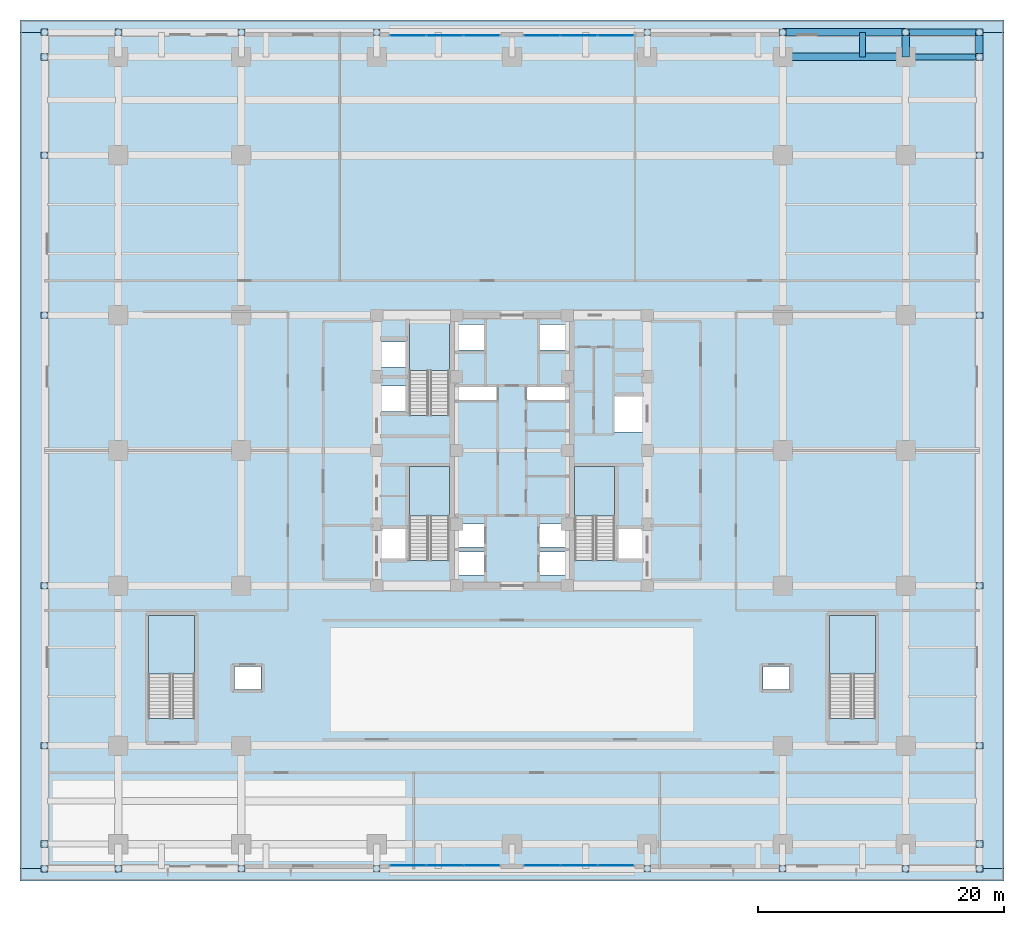
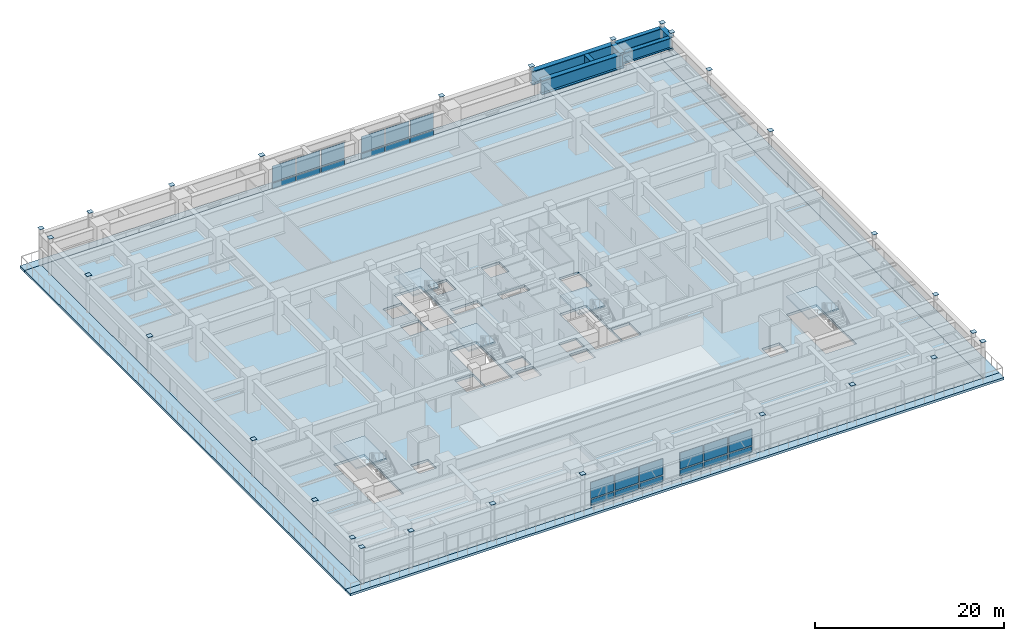
# One storey, part 21 of 35: 52 plates, 10 slabs, 7 beams, 9 elements without a shape of their own.
"""IFC4 building model written with IfcOpenShell, lengths in metres."""

from ifc_helpers import new_model, si_unit, direction, frame, origin, origin_2d, place, context, subcontext, project, spatial, polyline, rectangle, i_section, outline, extrude, source, transform, mapped, material, layer, layer_set, material_profile, profile_set, type_object, element, aggregate, save


model = new_model("IFC4")

# Units and contexts
model_context = context("Model", 3, precision=1e-05, world=origin(), true_north=direction((0.0, 1.0)))
body_context = subcontext(model_context, "Body", "Model", "MODEL_VIEW")
ifc_project = project(units=[si_unit("LENGTHUNIT", "METRE"), si_unit("AREAUNIT", "SQUARE_METRE"), si_unit("VOLUMEUNIT", "CUBIC_METRE"), si_unit("PLANEANGLEUNIT", "RADIAN"), si_unit("MASSUNIT", "GRAM", prefix="KILO")], contexts=[model_context])

# Site, building, storey
site_placement = place(None, origin())
site = spatial("IfcSite", under=ifc_project, at=site_placement, CompositionType="ELEMENT")
building_placement = place(site_placement, origin())
building = spatial("IfcBuilding", under=site, at=building_placement, Name="Khorayat Bourse Tower", CompositionType="ELEMENT")
storey_placement = place(building_placement, frame((0.0, 0.0, 22.199951171875)))
storey = spatial("IfcBuildingStorey", under=building, at=storey_placement, Name="L04", CompositionType="ELEMENT", Elevation=22.199951171875)

# Beams
ifc_material_1 = material(Name="Steel EN 10025-4 S460M", Category="steel")
ifc_material_profile_1 = material_profile(ifc_material_1, i_section(OverallWidth=0.60009765625, OverallDepth=1.800048828125, WebThickness=0.031982421875, FlangeThickness=0.06005859375, at=origin_2d()), Name="PG 1800x600x32x60")
ifc_profile_set_1 = profile_set([ifc_material_profile_1], Name="Steel EN 10025-4 S460M")
beam_type_1 = type_object("IfcBeamType", Name="BM-TR-1800", PredefinedType="BEAM", material=ifc_profile_set_1)
shared_shape_1 = source(origin(), body_context, "Body", "SweptSolid", [
    extrude(i_section(OverallWidth=0.60009765625, OverallDepth=1.800048828125, WebThickness=0.031982421875, FlangeThickness=0.06005859375, at=origin_2d()), origin(), (0.0, 0.0, 1.0), 10.0),
])
for number, where, z_axis, x_axis, name in (
    (1, (22.0, 32.0, 3.300048828125), (1.0, 0.0, 0.0), (0.0, 1.0, 0.0), "L04 BM-TR-1800 BM-L04-PGX-089"),
    (2, (22.0, 34.0, 3.300048828125), (1.0, 0.0, 0.0), (0.0, 1.0, 0.0), "L04 BM-TR-1800 BM-L04-PGX-096"),
):
    element("IfcBeam", number, at=place(storey_placement, frame(where, z_axis=z_axis, x_axis=x_axis)), inside=storey, type_object=beam_type_1, Name=name, PredefinedType="BEAM", context=body_context, shape_type="MappedRepresentation", body=[
        mapped(shared_shape_1, transform((0.0, 0.0, 0.0), scale=1.0)),
    ])
ifc_material_profile_2 = material_profile(ifc_material_1, i_section(OverallWidth=0.5, OverallDepth=1.39990234375, WebThickness=0.02490234375, FlangeThickness=0.050048828125, at=origin_2d()), Name="PG 1400x500x25x50")
ifc_profile_set_2 = profile_set([ifc_material_profile_2], Name="Steel EN 10025-4 S460M")
beam_type_2 = type_object("IfcBeamType", Name="BM-TR-1400", PredefinedType="BEAM", material=ifc_profile_set_2)
shared_shape_2 = source(origin(), body_context, "Body", "SweptSolid", [
    extrude(i_section(OverallWidth=0.5, OverallDepth=1.39990234375, WebThickness=0.02490234375, FlangeThickness=0.050048828125, at=origin_2d()), origin(), (0.0, 0.0, 1.0), 6.0),
])
for number, where, z_axis, x_axis, name in (
    (3, (32.0, 32.0, 3.5), (1.0, 0.0, 0.0), (0.0, 1.0, 0.0), "L04 BM-TR-1400 BM-L04-PGX-090"),
    (4, (32.0, 34.0, 3.5), (1.0, 0.0, 0.0), (0.0, 1.0, 0.0), "L04 BM-TR-1400 BM-L04-PGX-097"),
):
    element("IfcBeam", number, at=place(storey_placement, frame(where, z_axis=z_axis, x_axis=x_axis)), inside=storey, type_object=beam_type_2, Name=name, PredefinedType="BEAM", context=body_context, shape_type="MappedRepresentation", body=[
        mapped(shared_shape_2, transform((0.0, 0.0, 0.0), scale=1.0)),
    ])
shared_shape_3 = source(origin(), body_context, "Body", "SweptSolid", [
    extrude(i_section(OverallWidth=0.60009765625, OverallDepth=1.800048828125, WebThickness=0.031982421875, FlangeThickness=0.06005859375, at=origin_2d()), origin(), (0.0, 0.0, 1.0), 2.0),
])
for number, where, z_axis, x_axis, name in (
    (5, (32.0, 32.0, 3.300048828125), (0.0, 1.0, 0.0), (-1.0, 0.0, 0.0), "L04 BM-TR-1800 BM-L04-PGY-155"),
    (6, (38.0, 32.0, 3.300048828125), (0.0, 1.0, 0.0), (-1.0, 0.0, 0.0), "L04 BM-TR-1800 BM-L04-PGY-162"),
):
    element("IfcBeam", number, at=place(storey_placement, frame(where, z_axis=z_axis, x_axis=x_axis)), inside=storey, type_object=beam_type_1, Name=name, PredefinedType="BEAM", context=body_context, shape_type="MappedRepresentation", body=[
        mapped(shared_shape_3, transform((0.0, 0.0, 0.0), scale=1.0)),
    ])
shared_shape_4 = source(origin(), body_context, "Body", "SweptSolid", [
    extrude(i_section(OverallWidth=0.5, OverallDepth=1.39990234375, WebThickness=0.02490234375, FlangeThickness=0.050048828125, at=origin_2d()), origin(), (0.0, 0.0, 1.0), 2.0),
])
beam_placement = place(storey_placement, frame((28.5, 32.0, 3.5), z_axis=(0.0, 1.0, 0.0), x_axis=(-1.0, 0.0, 0.0)))
element("IfcBeam", 7, at=beam_placement, inside=storey, type_object=beam_type_2, Name="L04 BM-TR-1400 BM-L04-PGY-147", PredefinedType="BEAM", context=body_context, shape_type="MappedRepresentation", body=[
    mapped(shared_shape_4, transform((0.0, 0.0, 0.0), scale=1.0)),
])

# Stair, slab
ifc_material_2 = material(Name="Concrete C40/50", Category="concrete")
stair_type_1 = type_object("IfcStairType", Name="STR-CORE-1550", PredefinedType="HALF_TURN_STAIR", material=ifc_material_2)
stair_1_placement = place(storey_placement, origin())
stair_1 = element("IfcStair", 8, at=stair_1_placement, inside=storey, type_object=stair_type_1, Name="L04 Exit Stair ST-1", PredefinedType="HALF_TURN_STAIR")
ifc_layer_1 = layer(ifc_material_2, 0.199951171875)
ifc_layer_set_1 = layer_set([ifc_layer_1], Name="Concrete C40/50")
slab_type_1 = type_object("IfcSlabType", Name="SLB-LANDING-200", PredefinedType="LANDING", material=ifc_layer_set_1)
slab_1_placement = place(storey_placement, frame((0.0, 0.0, 2.199951171875)))
slab_1 = element("IfcSlab", 9, at=slab_1_placement, type_object=slab_type_1, Name="ST-1 landing 1", PredefinedType="LANDING", context=body_context, shape_type="SweptSolid", body=[
    extrude(outline(polyline([(-5.10009765625, -5.31005859375), (-5.10009765625, -1.300048828125), (-8.35009765625, -1.300048828125), (-8.35009765625, -5.31005859375), (-5.10009765625, -5.31005859375)])), origin(), (0.0, 0.0, 1.0), 0.2001953125),
])
aggregate(stair_1, [slab_1])

stair_2_placement = place(storey_placement, origin())
stair_2 = element("IfcStair", 10, at=stair_2_placement, inside=storey, type_object=stair_type_1, Name="L04 Exit Stair ST-2", PredefinedType="HALF_TURN_STAIR")
slab_2_placement = place(storey_placement, frame((0.0, 0.0, 2.199951171875)))
slab_2 = element("IfcSlab", 11, at=slab_2_placement, type_object=slab_type_1, Name="ST-2 landing 1", PredefinedType="LANDING", context=body_context, shape_type="SweptSolid", body=[
    extrude(outline(polyline([(-5.10009765625, 6.489990234375), (-5.10009765625, 10.5), (-8.35009765625, 10.5), (-8.35009765625, 6.489990234375), (-5.10009765625, 6.489990234375)])), origin(), (0.0, 0.0, 1.0), 0.2001953125),
])
aggregate(stair_2, [slab_2])

stair_3_placement = place(storey_placement, origin())
stair_3 = element("IfcStair", 12, at=stair_3_placement, inside=storey, type_object=stair_type_1, Name="L04 Exit Stair ST-3", PredefinedType="HALF_TURN_STAIR")
slab_3_placement = place(storey_placement, frame((0.0, 0.0, 2.199951171875)))
slab_3 = element("IfcSlab", 13, at=slab_3_placement, type_object=slab_type_1, Name="ST-3 landing 1", PredefinedType="LANDING", context=body_context, shape_type="SweptSolid", body=[
    extrude(outline(polyline([(8.35009765625, -5.31005859375), (8.35009765625, -1.300048828125), (5.10009765625, -1.300048828125), (5.10009765625, -5.31005859375), (8.35009765625, -5.31005859375)])), origin(), (0.0, 0.0, 1.0), 0.2001953125),
])
aggregate(stair_3, [slab_3])

stair_type_2 = type_object("IfcStairType", Name="STR-POD-1800", PredefinedType="HALF_TURN_STAIR", material=ifc_material_2)
stair_4_placement = place(storey_placement, origin())
stair_4 = element("IfcStair", 14, at=stair_4_placement, inside=storey, type_object=stair_type_2, Name="L04 Exit Stair ST-P1", PredefinedType="HALF_TURN_STAIR")
slab_4_placement = place(storey_placement, frame((0.0, 0.0, 2.199951171875)))
slab_4 = element("IfcSlab", 15, at=slab_4_placement, type_object=slab_type_1, Name="ST-P1 landing 1", PredefinedType="LANDING", context=body_context, shape_type="SweptSolid", body=[
    extrude(outline(polyline([(-25.800048828125, -18.159912109375), (-25.800048828125, -13.39990234375), (-29.550048828125, -13.39990234375), (-29.550048828125, -18.159912109375), (-25.800048828125, -18.159912109375)])), origin(), (0.0, 0.0, 1.0), 0.2001953125),
])
aggregate(stair_4, [slab_4])

stair_5_placement = place(storey_placement, origin())
stair_5 = element("IfcStair", 16, at=stair_5_placement, inside=storey, type_object=stair_type_2, Name="L04 Exit Stair ST-P2", PredefinedType="HALF_TURN_STAIR")
slab_5_placement = place(storey_placement, frame((0.0, 0.0, 2.199951171875)))
slab_5 = element("IfcSlab", 17, at=slab_5_placement, type_object=slab_type_1, Name="ST-P2 landing 1", PredefinedType="LANDING", context=body_context, shape_type="SweptSolid", body=[
    extrude(outline(polyline([(29.550048828125, -18.159912109375), (29.550048828125, -13.39990234375), (25.800048828125, -13.39990234375), (25.800048828125, -18.159912109375), (29.550048828125, -18.159912109375)])), origin(), (0.0, 0.0, 1.0), 0.2001953125),
])
aggregate(stair_5, [slab_5])

# Slabs
ifc_layer_2 = layer(ifc_material_2, 0.320068359375)
ifc_layer_set_2 = layer_set([ifc_layer_2], Name="Concrete C40/50")
slab_type_2 = type_object("IfcSlabType", Name="SLB-POD-320", PredefinedType="FLOOR", material=ifc_layer_set_2)
slab_6_placement = place(storey_placement, frame((0.0, 0.0, -0.320068359375)))
element("IfcSlab", 18, at=slab_6_placement, inside=storey, type_object=slab_type_2, Name="L04 Main Floor Slab", PredefinedType="FLOOR", context=body_context, shape_type="SweptSolid", body=[
    extrude(outline(polyline([(-38.0, -34.0), (38.0, -34.0), (38.0, 34.0), (-38.0, 34.0), (-38.0, -34.0)]), holes=[polyline([(-8.35009765625, -8.945068359375), (-5.10009765625, -8.945068359375), (-5.10009765625, -1.300048828125), (-8.35009765625, -1.300048828125), (-8.35009765625, -8.945068359375)]), polyline([(-8.35009765625, 2.85498046875), (-5.10009765625, 2.85498046875), (-5.10009765625, 10.5), (-8.35009765625, 10.5), (-8.35009765625, 2.85498046875)]), polyline([(5.10009765625, -8.945068359375), (8.35009765625, -8.945068359375), (8.35009765625, -1.300048828125), (5.10009765625, -1.300048828125), (5.10009765625, -8.945068359375)]), polyline([(-29.550048828125, -21.794921875), (-25.800048828125, -21.794921875), (-25.800048828125, -13.39990234375), (-29.550048828125, -13.39990234375), (-29.550048828125, -21.794921875)]), polyline([(25.800048828125, -21.794921875), (29.550048828125, -21.794921875), (29.550048828125, -13.39990234375), (25.800048828125, -13.39990234375), (25.800048828125, -21.794921875)]), polyline([(-4.3798828125, -10.1298828125), (-2.219970703125, -10.1298828125), (-2.219970703125, -8.27001953125), (-4.3798828125, -8.27001953125), (-4.3798828125, -10.1298828125)]), polyline([(2.219970703125, -10.1298828125), (4.3798828125, -10.1298828125), (4.3798828125, -8.27001953125), (2.219970703125, -8.27001953125), (2.219970703125, -10.1298828125)]), polyline([(-4.3798828125, -7.830078125), (-2.219970703125, -7.830078125), (-2.219970703125, -5.969970703125), (-4.3798828125, -5.969970703125), (-4.3798828125, -7.830078125)]), polyline([(2.219970703125, -7.830078125), (4.3798828125, -7.830078125), (4.3798828125, -5.969970703125), (2.219970703125, -5.969970703125), (2.219970703125, -7.830078125)]), polyline([(-4.3798828125, 8.169921875), (-2.1201171875, 8.169921875), (-2.1201171875, 10.22998046875), (-4.3798828125, 10.22998046875), (-4.3798828125, 8.169921875)]), polyline([(2.1201171875, 8.169921875), (4.3798828125, 8.169921875), (4.3798828125, 10.22998046875), (2.1201171875, 10.22998046875), (2.1201171875, 8.169921875)]), polyline([(-10.679931640625, 3.169921875), (-8.419921875, 3.169921875), (-8.419921875, 5.22998046875), (-10.679931640625, 5.22998046875), (-10.679931640625, 3.169921875)]), polyline([(-10.679931640625, 6.77001953125), (-8.419921875, 6.77001953125), (-8.419921875, 8.830078125), (-10.679931640625, 8.830078125), (-10.679931640625, 6.77001953125)]), polyline([(-22.580078125, -19.429931640625), (-20.419921875, -19.429931640625), (-20.419921875, -17.570068359375), (-22.580078125, -17.570068359375), (-22.580078125, -19.429931640625)]), polyline([(20.419921875, -19.429931640625), (22.580078125, -19.429931640625), (22.580078125, -17.570068359375), (20.419921875, -17.570068359375), (20.419921875, -19.429931640625)]), polyline([(-10.679931640625, -8.929931640625), (-8.419921875, -8.929931640625), (-8.419921875, -6.3701171875), (-10.679931640625, -6.3701171875), (-10.679931640625, -8.929931640625)]), polyline([(8.419921875, -8.929931640625), (10.679931640625, -8.929931640625), (10.679931640625, -6.3701171875), (8.419921875, -6.3701171875), (8.419921875, -8.929931640625)]), polyline([(8.320068359375, 1.52001953125), (10.679931640625, 1.52001953125), (10.679931640625, 4.47998046875), (8.320068359375, 4.47998046875), (8.320068359375, 1.52001953125)]), polyline([(-4.56005859375, 4.080078125), (-1.18994140625, 4.080078125), (-1.18994140625, 5.219970703125), (-4.56005859375, 5.219970703125), (-4.56005859375, 4.080078125)]), polyline([(1.18994140625, 4.080078125), (4.56005859375, 4.080078125), (4.56005859375, 5.219970703125), (1.18994140625, 5.219970703125), (1.18994140625, 4.080078125)])]), origin(), (0.0, 0.0, 1.0), 0.320068359375),
])
ifc_layer_3 = layer(ifc_material_2, 0.300048828125)
ifc_layer_set_3 = layer_set([ifc_layer_3], Name="Concrete C40/50")
slab_type_3 = type_object("IfcSlabType", Name="SLB-TERR-300", PredefinedType="FLOOR", material=ifc_layer_set_3)
slab_7_placement = place(storey_placement, frame((0.0, 0.0, -0.300048828125)))
element("IfcSlab", 19, at=slab_7_placement, inside=storey, type_object=slab_type_3, Name="L04 Planted Garden Terrace Slab 01", PredefinedType="FLOOR", context=body_context, shape_type="SweptSolid", body=[
    extrude(outline(polyline([(-40.0, 34.0), (40.0, 34.0), (40.0, 35.0), (-40.0, 35.0), (-40.0, 34.0)])), origin(), (0.0, 0.0, 1.0), 0.300048828125),
])
slab_8_placement = place(storey_placement, frame((0.0, 0.0, -0.300048828125)))
element("IfcSlab", 20, at=slab_8_placement, inside=storey, type_object=slab_type_3, Name="L04 Planted Garden Terrace Slab 02", PredefinedType="FLOOR", context=body_context, shape_type="SweptSolid", body=[
    extrude(outline(polyline([(-40.0, -35.0), (40.0, -35.0), (40.0, -34.0), (-40.0, -34.0), (-40.0, -35.0)])), origin(), (0.0, 0.0, 1.0), 0.300048828125),
])
slab_9_placement = place(storey_placement, frame((0.0, 0.0, -0.300048828125)))
element("IfcSlab", 21, at=slab_9_placement, inside=storey, type_object=slab_type_3, Name="L04 Planted Garden Terrace Slab 03", PredefinedType="FLOOR", context=body_context, shape_type="SweptSolid", body=[
    extrude(outline(polyline([(-40.0, -34.0), (-38.0, -34.0), (-38.0, 34.0), (-40.0, 34.0), (-40.0, -34.0)])), origin(), (0.0, 0.0, 1.0), 0.300048828125),
])
slab_10_placement = place(storey_placement, frame((0.0, 0.0, -0.300048828125)))
element("IfcSlab", 22, at=slab_10_placement, inside=storey, type_object=slab_type_3, Name="L04 Planted Garden Terrace Slab 04", PredefinedType="FLOOR", context=body_context, shape_type="SweptSolid", body=[
    extrude(outline(polyline([(38.0, -34.0), (40.0, -34.0), (40.0, 34.0), (38.0, 34.0), (38.0, -34.0)])), origin(), (0.0, 0.0, 1.0), 0.300048828125),
])

# Plates
ifc_material_3 = material(Name="Steel EN 10025-2 S355J2", Category="steel")
ifc_layer_4 = layer(ifc_material_3, 0.02490234375)
ifc_layer_set_4 = layer_set([ifc_layer_4], Name="Steel EN 10025-2 S355J2")
plate_type_1 = type_object("IfcPlateType", Name="PLT-ENDCAP-25", PredefinedType="SHEET", material=ifc_layer_set_4)
shared_shape_5 = source(origin(), body_context, "Body", "SweptSolid", [
    extrude(rectangle(XDim=0.56005859375, YDim=0.56005859375, at=origin_2d()), origin(), (0.0, 0.0, 1.0), 0.02490234375),
])
for number, where, z_axis, x_axis, name in (
    (23, (-38.0, -34.0, 4.800048828125), (0.0, 0.0, 1.0), (1.0, 0.0, 0.0), "L04 Column Top Endcap Plate 001"),
    (24, (-38.0, -24.0, 4.800048828125), (0.0, 0.0, 1.0), (1.0, 0.0, 0.0), "L04 Column Top Endcap Plate 002"),
    (25, (-38.0, -11.0, 4.800048828125), (0.0, 0.0, 1.0), (1.0, 0.0, 0.0), "L04 Column Top Endcap Plate 003"),
    (26, (-38.0, 11.0, 4.800048828125), (0.0, 0.0, 1.0), (1.0, 0.0, 0.0), "L04 Column Top Endcap Plate 004"),
    (27, (-38.0, 24.0, 4.800048828125), (0.0, 0.0, 1.0), (1.0, 0.0, 0.0), "L04 Column Top Endcap Plate 005"),
    (28, (-38.0, 34.0, 4.800048828125), (0.0, 0.0, 1.0), (1.0, 0.0, 0.0), "L04 Column Top Endcap Plate 006"),
    (29, (-32.0, -34.0, 4.800048828125), (0.0, 0.0, 1.0), (1.0, 0.0, 0.0), "L04 Column Top Endcap Plate 007"),
    (30, (-32.0, 34.0, 4.800048828125), (0.0, 0.0, 1.0), (1.0, 0.0, 0.0), "L04 Column Top Endcap Plate 015"),
    (31, (-22.0, -34.0, 4.800048828125), (0.0, 0.0, 1.0), (1.0, 0.0, 0.0), "L04 Column Top Endcap Plate 016"),
    (32, (-22.0, 34.0, 4.800048828125), (0.0, 0.0, 1.0), (1.0, 0.0, 0.0), "L04 Column Top Endcap Plate 024"),
    (33, (-11.0, -34.0, 4.800048828125), (0.0, 0.0, 1.0), (1.0, 0.0, 0.0), "L04 Column Top Endcap Plate 025"),
    (34, (-11.0, 34.0, 4.800048828125), (0.0, 0.0, 1.0), (1.0, 0.0, 0.0), "L04 Column Top Endcap Plate 033"),
    (35, (11.0, -34.0, 4.800048828125), (0.0, 0.0, 1.0), (1.0, 0.0, 0.0), "L04 Column Top Endcap Plate 046"),
    (36, (11.0, 34.0, 4.800048828125), (0.0, 0.0, 1.0), (1.0, 0.0, 0.0), "L04 Column Top Endcap Plate 054"),
    (37, (22.0, -34.0, 4.800048828125), (0.0, 0.0, 1.0), (1.0, 0.0, 0.0), "L04 Column Top Endcap Plate 055"),
    (38, (22.0, 34.0, 4.800048828125), (0.0, 0.0, 1.0), (1.0, 0.0, 0.0), "L04 Column Top Endcap Plate 063"),
    (39, (32.0, -34.0, 4.800048828125), (0.0, 0.0, 1.0), (1.0, 0.0, 0.0), "L04 Column Top Endcap Plate 064"),
    (40, (32.0, 34.0, 4.800048828125), (0.0, 0.0, 1.0), (1.0, 0.0, 0.0), "L04 Column Top Endcap Plate 072"),
    (41, (38.0, -34.0, 4.800048828125), (0.0, 0.0, 1.0), (1.0, 0.0, 0.0), "L04 Column Top Endcap Plate 073"),
    (42, (38.0, -24.0, 4.800048828125), (0.0, 0.0, 1.0), (1.0, 0.0, 0.0), "L04 Column Top Endcap Plate 074"),
    (43, (38.0, -11.0, 4.800048828125), (0.0, 0.0, 1.0), (1.0, 0.0, 0.0), "L04 Column Top Endcap Plate 075"),
    (44, (38.0, 11.0, 4.800048828125), (0.0, 0.0, 1.0), (1.0, 0.0, 0.0), "L04 Column Top Endcap Plate 076"),
    (45, (38.0, 24.0, 4.800048828125), (0.0, 0.0, 1.0), (1.0, 0.0, 0.0), "L04 Column Top Endcap Plate 077"),
    (46, (38.0, 34.0, 4.800048828125), (0.0, 0.0, 1.0), (1.0, 0.0, 0.0), "L04 Column Top Endcap Plate 078"),
    (47, (-38.0, -32.0, 4.800048828125), (0.0, 0.0, 1.0), (1.0, 0.0, 0.0), "L04 Perimeter Step Column Endcap 1"),
    (48, (-38.0, 32.0, 4.800048828125), (0.0, 0.0, 1.0), (1.0, 0.0, 0.0), "L04 Perimeter Step Column Endcap 2"),
    (49, (38.0, -32.0, 4.800048828125), (0.0, 0.0, 1.0), (1.0, 0.0, 0.0), "L04 Perimeter Step Column Endcap 3"),
    (50, (38.0, 32.0, 4.800048828125), (0.0, 0.0, 1.0), (1.0, 0.0, 0.0), "L04 Perimeter Step Column Endcap 4"),
):
    element("IfcPlate", number, at=place(storey_placement, frame(where, z_axis=z_axis, x_axis=x_axis)), inside=storey, type_object=plate_type_1, Name=name, PredefinedType="SHEET", context=body_context, shape_type="MappedRepresentation", body=[
        mapped(shared_shape_5, transform((0.0, 0.0, 0.0), scale=1.0)),
    ])

# Curtain wall, plates
ifc_material_4 = material(Name="Aluminium EN AW-6063 T6", Category="aluminium")
curtain_wall_type = type_object("IfcCurtainWallType", Name="CW-SYS-01", PredefinedType="NOTDEFINED", material=ifc_material_4)
curtain_wall_1_placement = place(storey_placement, origin())
curtain_wall_1 = element("IfcCurtainWall", 51, at=curtain_wall_1_placement, inside=storey, type_object=curtain_wall_type, Name="L04 Curtain Wall CW-L04-SW", PredefinedType="NOTDEFINED")
ifc_material_5 = material(Name="Honed desert limestone insulated spandrel", Category="masonry")
ifc_layer_5 = layer(ifc_material_5, 0.06494140625)
ifc_layer_set_5 = layer_set([ifc_layer_5], Name="Honed desert limestone insulated spandrel")
plate_type_2 = type_object("IfcPlateType", Name="CWP-SPAND-03", PredefinedType="CURTAIN_PANEL", material=ifc_layer_set_5)
shared_shape_6 = source(origin(), body_context, "Body", "SweptSolid", [
    extrude(rectangle(XDim=2.8232421875, YDim=0.06494140625, at=origin_2d()), origin(), (0.0, 0.0, 1.0), 0.739990234375),
])
plate_1_placement = place(storey_placement, frame((-8.4482421875, -33.742919921875, 0.14013671875), z_axis=(0.0, 0.0, 1.0), x_axis=(1.0, 0.0, 0.0)))
plate_1 = element("IfcPlate", 52, at=plate_1_placement, type_object=plate_type_2, Name="CW-L04-SW Spandrel Panel 1-1", PredefinedType="CURTAIN_PANEL", context=body_context, shape_type="MappedRepresentation", body=[
    mapped(shared_shape_6, transform((0.0, 0.0, 0.0), scale=1.0)),
])
plate_2_placement = place(storey_placement, frame((-2.45166015625, -33.742919921875, 0.14013671875), z_axis=(0.0, 0.0, 1.0), x_axis=(1.0, 0.0, 0.0)))
plate_2 = element("IfcPlate", 53, at=plate_2_placement, type_object=plate_type_2, Name="CW-L04-SW Spandrel Panel 3-1", PredefinedType="CURTAIN_PANEL", context=body_context, shape_type="MappedRepresentation", body=[
    mapped(shared_shape_6, transform((0.0, 0.0, 0.0), scale=1.0)),
])

curtain_wall_2_placement = place(storey_placement, origin())
curtain_wall_2 = element("IfcCurtainWall", 54, at=curtain_wall_2_placement, inside=storey, type_object=curtain_wall_type, Name="L04 Curtain Wall CW-L04-SE", PredefinedType="NOTDEFINED")
plate_3_placement = place(storey_placement, frame((2.45166015625, -33.742919921875, 0.14013671875), z_axis=(0.0, 0.0, 1.0), x_axis=(1.0, 0.0, 0.0)))
plate_3 = element("IfcPlate", 55, at=plate_3_placement, type_object=plate_type_2, Name="CW-L04-SE Spandrel Panel 1-1", PredefinedType="CURTAIN_PANEL", context=body_context, shape_type="MappedRepresentation", body=[
    mapped(shared_shape_6, transform((0.0, 0.0, 0.0), scale=1.0)),
])
plate_4_placement = place(storey_placement, frame((8.4482421875, -33.742919921875, 0.14013671875), z_axis=(0.0, 0.0, 1.0), x_axis=(1.0, 0.0, 0.0)))
plate_4 = element("IfcPlate", 56, at=plate_4_placement, type_object=plate_type_2, Name="CW-L04-SE Spandrel Panel 3-1", PredefinedType="CURTAIN_PANEL", context=body_context, shape_type="MappedRepresentation", body=[
    mapped(shared_shape_6, transform((0.0, 0.0, 0.0), scale=1.0)),
])

curtain_wall_3_placement = place(storey_placement, origin())
curtain_wall_3 = element("IfcCurtainWall", 57, at=curtain_wall_3_placement, inside=storey, type_object=curtain_wall_type, Name="L04 Curtain Wall CW-L04-NW", PredefinedType="NOTDEFINED")
plate_5_placement = place(storey_placement, frame((-2.45166015625, 33.742919921875, 0.14013671875), z_axis=(0.0, 0.0, 1.0), x_axis=(-1.0, 0.0, 0.0)))
plate_5 = element("IfcPlate", 58, at=plate_5_placement, type_object=plate_type_2, Name="CW-L04-NW Spandrel Panel 1-1", PredefinedType="CURTAIN_PANEL", context=body_context, shape_type="MappedRepresentation", body=[
    mapped(shared_shape_6, transform((0.0, 0.0, 0.0), scale=1.0)),
])
plate_6_placement = place(storey_placement, frame((-8.4482421875, 33.742919921875, 0.14013671875), z_axis=(0.0, 0.0, 1.0), x_axis=(-1.0, 0.0, 0.0)))
plate_6 = element("IfcPlate", 59, at=plate_6_placement, type_object=plate_type_2, Name="CW-L04-NW Spandrel Panel 3-1", PredefinedType="CURTAIN_PANEL", context=body_context, shape_type="MappedRepresentation", body=[
    mapped(shared_shape_6, transform((0.0, 0.0, 0.0), scale=1.0)),
])

curtain_wall_4_placement = place(storey_placement, origin())
curtain_wall_4 = element("IfcCurtainWall", 60, at=curtain_wall_4_placement, inside=storey, type_object=curtain_wall_type, Name="L04 Curtain Wall CW-L04-NE", PredefinedType="NOTDEFINED")
plate_7_placement = place(storey_placement, frame((8.4482421875, 33.742919921875, 0.14013671875), z_axis=(0.0, 0.0, 1.0), x_axis=(-1.0, 0.0, 0.0)))
plate_7 = element("IfcPlate", 61, at=plate_7_placement, type_object=plate_type_2, Name="CW-L04-NE Spandrel Panel 1-1", PredefinedType="CURTAIN_PANEL", context=body_context, shape_type="MappedRepresentation", body=[
    mapped(shared_shape_6, transform((0.0, 0.0, 0.0), scale=1.0)),
])
plate_8_placement = place(storey_placement, frame((2.45166015625, 33.742919921875, 0.14013671875), z_axis=(0.0, 0.0, 1.0), x_axis=(-1.0, 0.0, 0.0)))
plate_8 = element("IfcPlate", 62, at=plate_8_placement, type_object=plate_type_2, Name="CW-L04-NE Spandrel Panel 3-1", PredefinedType="CURTAIN_PANEL", context=body_context, shape_type="MappedRepresentation", body=[
    mapped(shared_shape_6, transform((0.0, 0.0, 0.0), scale=1.0)),
])

# Plate
shared_shape_7 = source(origin(), body_context, "Body", "SweptSolid", [
    extrude(rectangle(XDim=2.893310546875, YDim=0.06494140625, at=origin_2d()), origin(), (0.0, 0.0, 1.0), 0.739990234375),
])
plate_9_placement = place(storey_placement, frame((-5.449951171875, -33.742919921875, 0.14013671875), z_axis=(0.0, 0.0, 1.0), x_axis=(1.0, 0.0, 0.0)))
plate_9 = element("IfcPlate", 63, at=plate_9_placement, type_object=plate_type_2, Name="CW-L04-SW Spandrel Panel 2-1", PredefinedType="CURTAIN_PANEL", context=body_context, shape_type="MappedRepresentation", body=[
    mapped(shared_shape_7, transform((0.0, 0.0, 0.0), scale=1.0)),
])

plate_10_placement = place(storey_placement, frame((5.449951171875, -33.742919921875, 0.14013671875), z_axis=(0.0, 0.0, 1.0), x_axis=(1.0, 0.0, 0.0)))
plate_10 = element("IfcPlate", 64, at=plate_10_placement, type_object=plate_type_2, Name="CW-L04-SE Spandrel Panel 2-1", PredefinedType="CURTAIN_PANEL", context=body_context, shape_type="MappedRepresentation", body=[
    mapped(shared_shape_7, transform((0.0, 0.0, 0.0), scale=1.0)),
])

plate_11_placement = place(storey_placement, frame((-5.449951171875, 33.742919921875, 0.14013671875), z_axis=(0.0, 0.0, 1.0), x_axis=(-1.0, 0.0, 0.0)))
plate_11 = element("IfcPlate", 65, at=plate_11_placement, type_object=plate_type_2, Name="CW-L04-NW Spandrel Panel 2-1", PredefinedType="CURTAIN_PANEL", context=body_context, shape_type="MappedRepresentation", body=[
    mapped(shared_shape_7, transform((0.0, 0.0, 0.0), scale=1.0)),
])

plate_12_placement = place(storey_placement, frame((5.449951171875, 33.742919921875, 0.14013671875), z_axis=(0.0, 0.0, 1.0), x_axis=(-1.0, 0.0, 0.0)))
plate_12 = element("IfcPlate", 66, at=plate_12_placement, type_object=plate_type_2, Name="CW-L04-NE Spandrel Panel 2-1", PredefinedType="CURTAIN_PANEL", context=body_context, shape_type="MappedRepresentation", body=[
    mapped(shared_shape_7, transform((0.0, 0.0, 0.0), scale=1.0)),
])

ifc_material_6 = material(Name="Low-E solar-control laminated double glazing", Category="glass")
ifc_layer_6 = layer(ifc_material_6, 0.035888671875)
ifc_layer_set_6 = layer_set([ifc_layer_6], Name="Low-E solar-control laminated double glazing")
plate_type_3 = type_object("IfcPlateType", Name="CWP-VIS-01", PredefinedType="CURTAIN_PANEL", material=ifc_layer_set_6)
shared_shape_8 = source(origin(), body_context, "Body", "SweptSolid", [
    extrude(rectangle(XDim=2.8232421875, YDim=0.035888671875, at=origin_2d()), origin(), (0.0, 0.0, 1.0), 2.090087890625),
])
plate_13_placement = place(storey_placement, frame((-8.4482421875, -33.742919921875, 1.02001953125), z_axis=(0.0, 0.0, 1.0), x_axis=(1.0, 0.0, 0.0)))
plate_13 = element("IfcPlate", 67, at=plate_13_placement, type_object=plate_type_3, Name="CW-L04-SW Vision Panel 1-2", PredefinedType="CURTAIN_PANEL", context=body_context, shape_type="MappedRepresentation", body=[
    mapped(shared_shape_8, transform((0.0, 0.0, 0.0), scale=1.0)),
])

plate_14_placement = place(storey_placement, frame((-2.45166015625, -33.742919921875, 1.02001953125), z_axis=(0.0, 0.0, 1.0), x_axis=(1.0, 0.0, 0.0)))
plate_14 = element("IfcPlate", 68, at=plate_14_placement, type_object=plate_type_3, Name="CW-L04-SW Vision Panel 3-2", PredefinedType="CURTAIN_PANEL", context=body_context, shape_type="MappedRepresentation", body=[
    mapped(shared_shape_8, transform((0.0, 0.0, 0.0), scale=1.0)),
])

plate_15_placement = place(storey_placement, frame((2.45166015625, -33.742919921875, 1.02001953125), z_axis=(0.0, 0.0, 1.0), x_axis=(1.0, 0.0, 0.0)))
plate_15 = element("IfcPlate", 69, at=plate_15_placement, type_object=plate_type_3, Name="CW-L04-SE Vision Panel 1-2", PredefinedType="CURTAIN_PANEL", context=body_context, shape_type="MappedRepresentation", body=[
    mapped(shared_shape_8, transform((0.0, 0.0, 0.0), scale=1.0)),
])

plate_16_placement = place(storey_placement, frame((8.4482421875, -33.742919921875, 1.02001953125), z_axis=(0.0, 0.0, 1.0), x_axis=(1.0, 0.0, 0.0)))
plate_16 = element("IfcPlate", 70, at=plate_16_placement, type_object=plate_type_3, Name="CW-L04-SE Vision Panel 3-2", PredefinedType="CURTAIN_PANEL", context=body_context, shape_type="MappedRepresentation", body=[
    mapped(shared_shape_8, transform((0.0, 0.0, 0.0), scale=1.0)),
])

plate_17_placement = place(storey_placement, frame((-2.45166015625, 33.742919921875, 1.02001953125), z_axis=(0.0, 0.0, 1.0), x_axis=(-1.0, 0.0, 0.0)))
plate_17 = element("IfcPlate", 71, at=plate_17_placement, type_object=plate_type_3, Name="CW-L04-NW Vision Panel 1-2", PredefinedType="CURTAIN_PANEL", context=body_context, shape_type="MappedRepresentation", body=[
    mapped(shared_shape_8, transform((0.0, 0.0, 0.0), scale=1.0)),
])

plate_18_placement = place(storey_placement, frame((-8.4482421875, 33.742919921875, 1.02001953125), z_axis=(0.0, 0.0, 1.0), x_axis=(-1.0, 0.0, 0.0)))
plate_18 = element("IfcPlate", 72, at=plate_18_placement, type_object=plate_type_3, Name="CW-L04-NW Vision Panel 3-2", PredefinedType="CURTAIN_PANEL", context=body_context, shape_type="MappedRepresentation", body=[
    mapped(shared_shape_8, transform((0.0, 0.0, 0.0), scale=1.0)),
])

plate_19_placement = place(storey_placement, frame((8.4482421875, 33.742919921875, 1.02001953125), z_axis=(0.0, 0.0, 1.0), x_axis=(-1.0, 0.0, 0.0)))
plate_19 = element("IfcPlate", 73, at=plate_19_placement, type_object=plate_type_3, Name="CW-L04-NE Vision Panel 1-2", PredefinedType="CURTAIN_PANEL", context=body_context, shape_type="MappedRepresentation", body=[
    mapped(shared_shape_8, transform((0.0, 0.0, 0.0), scale=1.0)),
])

plate_20_placement = place(storey_placement, frame((2.45166015625, 33.742919921875, 1.02001953125), z_axis=(0.0, 0.0, 1.0), x_axis=(-1.0, 0.0, 0.0)))
plate_20 = element("IfcPlate", 74, at=plate_20_placement, type_object=plate_type_3, Name="CW-L04-NE Vision Panel 3-2", PredefinedType="CURTAIN_PANEL", context=body_context, shape_type="MappedRepresentation", body=[
    mapped(shared_shape_8, transform((0.0, 0.0, 0.0), scale=1.0)),
])

shared_shape_9 = source(origin(), body_context, "Body", "SweptSolid", [
    extrude(rectangle(XDim=2.893310546875, YDim=0.035888671875, at=origin_2d()), origin(), (0.0, 0.0, 1.0), 2.090087890625),
])
plate_21_placement = place(storey_placement, frame((-5.449951171875, -33.742919921875, 1.02001953125), z_axis=(0.0, 0.0, 1.0), x_axis=(1.0, 0.0, 0.0)))
plate_21 = element("IfcPlate", 75, at=plate_21_placement, type_object=plate_type_3, Name="CW-L04-SW Vision Panel 2-2", PredefinedType="CURTAIN_PANEL", context=body_context, shape_type="MappedRepresentation", body=[
    mapped(shared_shape_9, transform((0.0, 0.0, 0.0), scale=1.0)),
])

aggregate(curtain_wall_1, [plate_1, plate_13, plate_9, plate_21, plate_2, plate_14])

plate_22_placement = place(storey_placement, frame((5.449951171875, -33.742919921875, 1.02001953125), z_axis=(0.0, 0.0, 1.0), x_axis=(1.0, 0.0, 0.0)))
plate_22 = element("IfcPlate", 76, at=plate_22_placement, type_object=plate_type_3, Name="CW-L04-SE Vision Panel 2-2", PredefinedType="CURTAIN_PANEL", context=body_context, shape_type="MappedRepresentation", body=[
    mapped(shared_shape_9, transform((0.0, 0.0, 0.0), scale=1.0)),
])

aggregate(curtain_wall_2, [plate_3, plate_15, plate_10, plate_22, plate_4, plate_16])

plate_23_placement = place(storey_placement, frame((-5.449951171875, 33.742919921875, 1.02001953125), z_axis=(0.0, 0.0, 1.0), x_axis=(-1.0, 0.0, 0.0)))
plate_23 = element("IfcPlate", 77, at=plate_23_placement, type_object=plate_type_3, Name="CW-L04-NW Vision Panel 2-2", PredefinedType="CURTAIN_PANEL", context=body_context, shape_type="MappedRepresentation", body=[
    mapped(shared_shape_9, transform((0.0, 0.0, 0.0), scale=1.0)),
])

aggregate(curtain_wall_3, [plate_5, plate_17, plate_11, plate_23, plate_6, plate_18])

plate_24_placement = place(storey_placement, frame((5.449951171875, 33.742919921875, 1.02001953125), z_axis=(0.0, 0.0, 1.0), x_axis=(-1.0, 0.0, 0.0)))
plate_24 = element("IfcPlate", 78, at=plate_24_placement, type_object=plate_type_3, Name="CW-L04-NE Vision Panel 2-2", PredefinedType="CURTAIN_PANEL", context=body_context, shape_type="MappedRepresentation", body=[
    mapped(shared_shape_9, transform((0.0, 0.0, 0.0), scale=1.0)),
])

aggregate(curtain_wall_4, [plate_7, plate_19, plate_12, plate_24, plate_8, plate_20])

save(model, "model.ifc")
